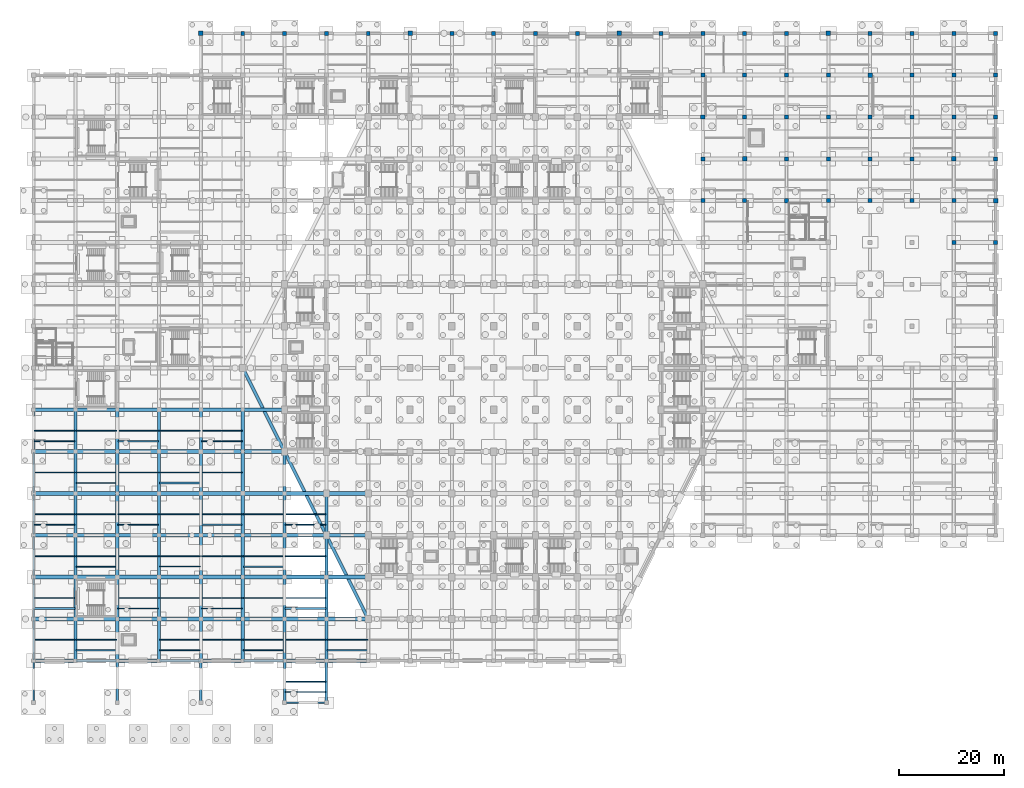
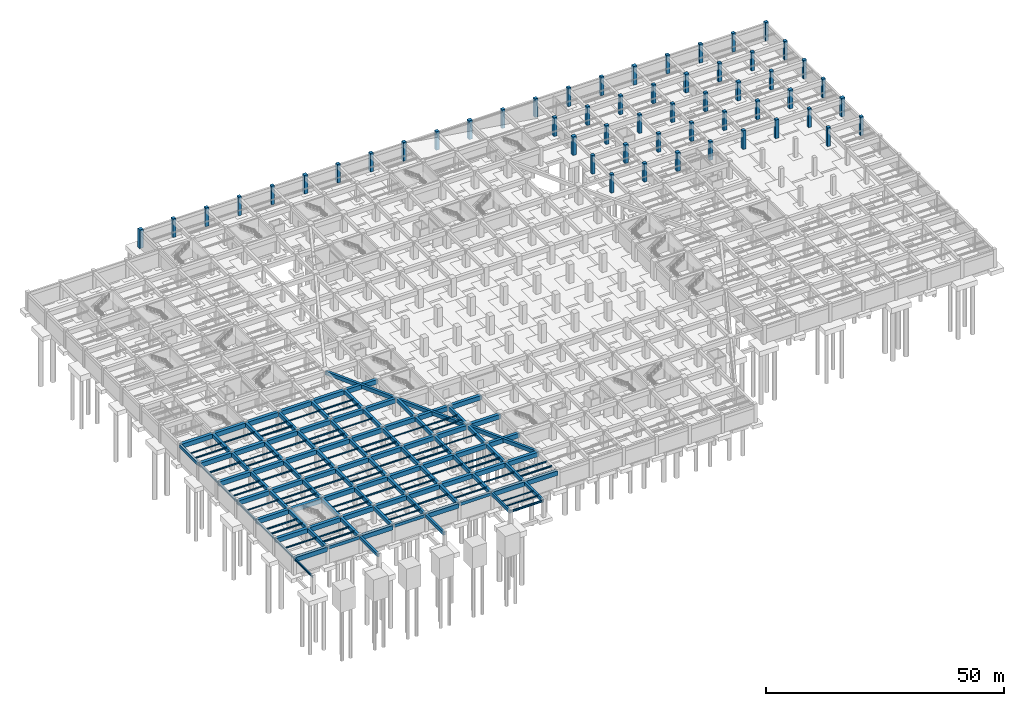
# One storey, part 17 of 36: 165 beams, 54 columns.
"""IFC4 building model written with IfcOpenShell, lengths in metres."""

from ifc_helpers import new_model, si_unit, direction, frame, origin, origin_2d, place, context, subcontext, project, spatial, rectangle, i_section, extrude, material, material_profile, profile_set, type_object, element, save


model = new_model("IFC4")

# Units and contexts
model_context = context("Model", 3, precision=1e-05, world=origin(), true_north=direction((0.0, 1.0)))
body_context = subcontext(model_context, "Body", "Model", "MODEL_VIEW")
ifc_project = project(units=[si_unit("LENGTHUNIT", "METRE"), si_unit("AREAUNIT", "SQUARE_METRE"), si_unit("VOLUMEUNIT", "CUBIC_METRE"), si_unit("PLANEANGLEUNIT", "RADIAN"), si_unit("MASSUNIT", "GRAM", prefix="KILO")], contexts=[model_context])

# Site, building, storey
site_placement = place(None, origin())
site = spatial("IfcSite", under=ifc_project, at=site_placement, CompositionType="ELEMENT")
building_placement = place(site_placement, origin())
building = spatial("IfcBuilding", under=site, at=building_placement, Name="Tazarka Park Arena", CompositionType="ELEMENT")
storey_placement = place(building_placement, frame((0.0, 0.0, -4.800048828125)))
storey = spatial("IfcBuildingStorey", under=building, at=storey_placement, Name="B1", CompositionType="ELEMENT", Elevation=-4.800048828125)

# Columns
ifc_material_1 = material(Name="Concrete C40/50", Category="concrete")
ifc_material_profile_1 = material_profile(ifc_material_1, rectangle(XDim=0.75, YDim=0.75, at=origin_2d()), Name="Concrete C40/50")
ifc_profile_set_1 = profile_set([ifc_material_profile_1], Name="Concrete C40/50")
column_type_1 = type_object("IfcColumnType", Name="COL-C-02", PredefinedType="COLUMN", material=ifc_profile_set_1)
for number, where, z_axis, x_axis, name in (
    (1, (40.0, 128.0, 0.0), (0.0, 0.0, 1.0), (1.0, 0.0, 0.0), "CLM-B1-05-16"),
    (2, (48.0, 128.0, 0.0), (0.0, 0.0, 1.0), (1.0, 0.0, 0.0), "CLM-B1-06-16"),
    (3, (56.0, 128.0, 0.0), (0.0, 0.0, 1.0), (1.0, 0.0, 0.0), "CLM-B1-07-16"),
    (4, (64.0, 128.0, 0.0), (0.0, 0.0, 1.0), (1.0, 0.0, 0.0), "CLM-B1-08-16"),
    (5, (80.0, 128.0, 0.0), (0.0, 0.0, 1.0), (1.0, 0.0, 0.0), "CLM-B1-10-16"),
    (6, (88.0, 128.0, 0.0), (0.0, 0.0, 1.0), (1.0, 0.0, 0.0), "CLM-B1-11-16"),
    (7, (96.0, 128.0, 0.0), (0.0, 0.0, 1.0), (1.0, 0.0, 0.0), "CLM-B1-12-16"),
    (8, (104.0, 128.0, 0.0), (0.0, 0.0, 1.0), (1.0, 0.0, 0.0), "CLM-B1-13-16"),
    (9, (120.0, 128.0, 0.0), (0.0, 0.0, 1.0), (1.0, 0.0, 0.0), "CLM-B1-15-16"),
    (10, (128.0, 96.0, 0.0), (0.0, 0.0, 1.0), (1.0, 0.0, 0.0), "CLM-B1-16-12"),
    (11, (128.0, 104.0, 0.0), (0.0, 0.0, 1.0), (1.0, 0.0, 0.0), "CLM-B1-16-13"),
    (12, (128.0, 120.0, 0.0), (0.0, 0.0, 1.0), (1.0, 0.0, 0.0), "CLM-B1-16-15"),
    (13, (128.0, 128.0, 0.0), (0.0, 0.0, 1.0), (1.0, 0.0, 0.0), "CLM-B1-16-16"),
    (14, (136.0, 96.0, 0.0), (0.0, 0.0, 1.0), (1.0, 0.0, 0.0), "CLM-B1-17-12"),
    (15, (136.0, 112.0, 0.0), (0.0, 0.0, 1.0), (1.0, 0.0, 0.0), "CLM-B1-17-14"),
    (16, (136.0, 120.0, 0.0), (0.0, 0.0, 1.0), (1.0, 0.0, 0.0), "CLM-B1-17-15"),
    (17, (136.0, 128.0, 0.0), (0.0, 0.0, 1.0), (1.0, 0.0, 0.0), "CLM-B1-17-16"),
    (18, (144.0, 104.0, 0.0), (0.0, 0.0, 1.0), (1.0, 0.0, 0.0), "CLM-B1-18-13"),
    (19, (144.0, 112.0, 0.0), (0.0, 0.0, 1.0), (1.0, 0.0, 0.0), "CLM-B1-18-14"),
    (20, (144.0, 120.0, 0.0), (0.0, 0.0, 1.0), (1.0, 0.0, 0.0), "CLM-B1-18-15"),
    (21, (144.0, 128.0, 0.0), (0.0, 0.0, 1.0), (1.0, 0.0, 0.0), "CLM-B1-18-16"),
    (22, (152.0, 96.0, 0.0), (0.0, 0.0, 1.0), (1.0, 0.0, 0.0), "CLM-B1-19-12"),
    (23, (152.0, 104.0, 0.0), (0.0, 0.0, 1.0), (1.0, 0.0, 0.0), "CLM-B1-19-13"),
    (24, (152.0, 112.0, 0.0), (0.0, 0.0, 1.0), (1.0, 0.0, 0.0), "CLM-B1-19-14"),
    (25, (152.0, 120.0, 0.0), (0.0, 0.0, 1.0), (1.0, 0.0, 0.0), "CLM-B1-19-15"),
    (26, (160.0, 96.0, 0.0), (0.0, 0.0, 1.0), (1.0, 0.0, 0.0), "CLM-B1-20-12"),
    (27, (160.0, 104.0, 0.0), (0.0, 0.0, 1.0), (1.0, 0.0, 0.0), "CLM-B1-20-13"),
    (28, (160.0, 112.0, 0.0), (0.0, 0.0, 1.0), (1.0, 0.0, 0.0), "CLM-B1-20-14"),
    (29, (160.0, 128.0, 0.0), (0.0, 0.0, 1.0), (1.0, 0.0, 0.0), "CLM-B1-20-16"),
    (30, (168.0, 96.0, 0.0), (0.0, 0.0, 1.0), (1.0, 0.0, 0.0), "CLM-B1-21-12"),
    (31, (168.0, 104.0, 0.0), (0.0, 0.0, 1.0), (1.0, 0.0, 0.0), "CLM-B1-21-13"),
    (32, (168.0, 120.0, 0.0), (0.0, 0.0, 1.0), (1.0, 0.0, 0.0), "CLM-B1-21-15"),
    (33, (168.0, 128.0, 0.0), (0.0, 0.0, 1.0), (1.0, 0.0, 0.0), "CLM-B1-21-16"),
    (34, (176.0, 88.0, 0.0), (0.0, 0.0, 1.0), (1.0, 0.0, 0.0), "CLM-B1-22-11"),
    (35, (176.0, 96.0, 0.0), (0.0, 0.0, 1.0), (1.0, 0.0, 0.0), "CLM-B1-22-12"),
    (36, (176.0, 112.0, 0.0), (0.0, 0.0, 1.0), (1.0, 0.0, 0.0), "CLM-B1-22-14"),
    (37, (176.0, 120.0, 0.0), (0.0, 0.0, 1.0), (1.0, 0.0, 0.0), "CLM-B1-22-15"),
    (38, (176.0, 128.0, 0.0), (0.0, 0.0, 1.0), (1.0, 0.0, 0.0), "CLM-B1-22-16"),
    (39, (184.0, 88.0, 0.0), (0.0, 0.0, 1.0), (1.0, 0.0, 0.0), "CLM-B1-23-11"),
    (40, (184.0, 104.0, 0.0), (0.0, 0.0, 1.0), (1.0, 0.0, 0.0), "CLM-B1-23-13"),
    (41, (184.0, 112.0, 0.0), (0.0, 0.0, 1.0), (1.0, 0.0, 0.0), "CLM-B1-23-14"),
    (42, (184.0, 120.0, 0.0), (0.0, 0.0, 1.0), (1.0, 0.0, 0.0), "CLM-B1-23-15"),
    (43, (184.0, 128.0, 0.0), (0.0, 0.0, 1.0), (1.0, 0.0, 0.0), "CLM-B1-23-16"),
):
    element("IfcColumn", number, at=place(storey_placement, frame(where, z_axis=z_axis, x_axis=x_axis)), inside=storey, type_object=column_type_1, Name=name, PredefinedType="COLUMN", context=body_context, shape_type="SweptSolid", body=[
        extrude(rectangle(XDim=0.75, YDim=0.75, at=origin_2d()), origin(), (0.0, 0.0, 1.0), 4.800048828125),
    ])
ifc_material_2 = material(Name="Concrete C40/50", Category="concrete")
ifc_material_profile_2 = material_profile(ifc_material_2, rectangle(XDim=0.85009765625, YDim=0.85009765625, at=origin_2d()), Name="Concrete C40/50")
ifc_profile_set_2 = profile_set([ifc_material_profile_2], Name="Concrete C40/50")
column_type_2 = type_object("IfcColumnType", Name="COL-C-10", PredefinedType="COLUMN", material=ifc_profile_set_2)
for number, where, z_axis, x_axis, name in (
    (44, (32.0, 128.0, 0.0), (0.0, 0.0, 1.0), (1.0, 0.0, 0.0), "CLM-B1-04-16"),
    (45, (72.0, 128.0, 0.0), (0.0, 0.0, 1.0), (1.0, 0.0, 0.0), "CLM-B1-09-16"),
    (46, (112.0, 128.0, 0.0), (0.0, 0.0, 1.0), (1.0, 0.0, 0.0), "CLM-B1-14-16"),
    (47, (128.0, 112.0, 0.0), (0.0, 0.0, 1.0), (1.0, 0.0, 0.0), "CLM-B1-16-14"),
    (48, (136.0, 104.0, 0.0), (0.0, 0.0, 1.0), (1.0, 0.0, 0.0), "CLM-B1-17-13"),
    (49, (144.0, 96.0, 0.0), (0.0, 0.0, 1.0), (1.0, 0.0, 0.0), "CLM-B1-18-12"),
    (50, (152.0, 128.0, 0.0), (0.0, 0.0, 1.0), (1.0, 0.0, 0.0), "CLM-B1-19-16"),
    (51, (160.0, 120.0, 0.0), (0.0, 0.0, 1.0), (1.0, 0.0, 0.0), "CLM-B1-20-15"),
    (52, (168.0, 112.0, 0.0), (0.0, 0.0, 1.0), (1.0, 0.0, 0.0), "CLM-B1-21-14"),
    (53, (176.0, 104.0, 0.0), (0.0, 0.0, 1.0), (1.0, 0.0, 0.0), "CLM-B1-22-13"),
    (54, (184.0, 96.0, 0.0), (0.0, 0.0, 1.0), (1.0, 0.0, 0.0), "CLM-B1-23-12"),
):
    element("IfcColumn", number, at=place(storey_placement, frame(where, z_axis=z_axis, x_axis=x_axis)), inside=storey, type_object=column_type_2, Name=name, PredefinedType="COLUMN", context=body_context, shape_type="SweptSolid", body=[
        extrude(rectangle(XDim=0.85009765625, YDim=0.85009765625, at=origin_2d()), origin(), (0.0, 0.0, 1.0), 4.800048828125),
    ])

# Beams
ifc_material_3 = material(Name="Concrete C40/50", Category="concrete")
ifc_material_profile_3 = material_profile(ifc_material_3, rectangle(XDim=0.60009765625, YDim=0.949951171875, at=origin_2d()), Name="Concrete C40/50")
ifc_profile_set_3 = profile_set([ifc_material_profile_3], Name="Concrete C40/50")
beam_type_1 = type_object("IfcBeamType", Name="BM-B-03", PredefinedType="BEAM", material=ifc_profile_set_3)
for number, where, z_axis, x_axis, name in (
    (55, (8.0, 8.1201171875, 3.945068359375), (0.0, 1.0, 0.0), (-1.0, 0.0, 0.0), "GYM-B1-01-01"),
    (56, (8.0, 16.1201171875, 3.945068359375), (0.0, 1.0, 0.0), (-1.0, 0.0, 0.0), "GYM-B1-01-02"),
    (57, (8.0, 24.1201171875, 3.945068359375), (0.0, 1.0, 0.0), (-1.0, 0.0, 0.0), "GYM-B1-01-03"),
    (58, (8.0, 32.1201171875, 3.945068359375), (0.0, 1.0, 0.0), (-1.0, 0.0, 0.0), "GYM-B1-01-04"),
    (59, (8.0, 40.1201171875, 3.945068359375), (0.0, 1.0, 0.0), (-1.0, 0.0, 0.0), "GYM-B1-01-05"),
    (60, (8.0, 48.1201171875, 3.945068359375), (0.0, 1.0, 0.0), (-1.0, 0.0, 0.0), "GYM-B1-01-06"),
    (61, (16.0, 8.1201171875, 3.945068359375), (0.0, 1.0, 0.0), (-1.0, 0.0, 0.0), "GYM-B1-02-01"),
    (62, (16.0, 16.1201171875, 3.945068359375), (0.0, 1.0, 0.0), (-1.0, 0.0, 0.0), "GYM-B1-02-02"),
    (63, (16.0, 24.1201171875, 3.945068359375), (0.0, 1.0, 0.0), (-1.0, 0.0, 0.0), "GYM-B1-02-03"),
    (64, (16.0, 32.1201171875, 3.945068359375), (0.0, 1.0, 0.0), (-1.0, 0.0, 0.0), "GYM-B1-02-04"),
    (65, (16.0, 40.1201171875, 3.945068359375), (0.0, 1.0, 0.0), (-1.0, 0.0, 0.0), "GYM-B1-02-05"),
    (66, (16.0, 48.1201171875, 3.945068359375), (0.0, 1.0, 0.0), (-1.0, 0.0, 0.0), "GYM-B1-02-06"),
    (67, (24.0, 8.1201171875, 3.945068359375), (0.0, 1.0, 0.0), (-1.0, 0.0, 0.0), "GYM-B1-03-01"),
    (68, (24.0, 16.1201171875, 3.945068359375), (0.0, 1.0, 0.0), (-1.0, 0.0, 0.0), "GYM-B1-03-02"),
    (69, (24.0, 24.1201171875, 3.945068359375), (0.0, 1.0, 0.0), (-1.0, 0.0, 0.0), "GYM-B1-03-03"),
    (70, (24.0, 32.1201171875, 3.945068359375), (0.0, 1.0, 0.0), (-1.0, 0.0, 0.0), "GYM-B1-03-04"),
    (71, (24.0, 40.1201171875, 3.945068359375), (0.0, 1.0, 0.0), (-1.0, 0.0, 0.0), "GYM-B1-03-05"),
    (72, (24.0, 48.1201171875, 3.945068359375), (0.0, 1.0, 0.0), (-1.0, 0.0, 0.0), "GYM-B1-03-06"),
    (73, (32.0, 8.1201171875, 3.945068359375), (0.0, 1.0, 0.0), (-1.0, 0.0, 0.0), "GYM-B1-04-01"),
    (74, (32.0, 16.1201171875, 3.945068359375), (0.0, 1.0, 0.0), (-1.0, 0.0, 0.0), "GYM-B1-04-02"),
    (75, (32.0, 24.1201171875, 3.945068359375), (0.0, 1.0, 0.0), (-1.0, 0.0, 0.0), "GYM-B1-04-03"),
    (76, (32.0, 32.1201171875, 3.945068359375), (0.0, 1.0, 0.0), (-1.0, 0.0, 0.0), "GYM-B1-04-04"),
    (77, (32.0, 40.1201171875, 3.945068359375), (0.0, 1.0, 0.0), (-1.0, 0.0, 0.0), "GYM-B1-04-05"),
    (78, (32.0, 48.1201171875, 3.945068359375), (0.0, 1.0, 0.0), (-1.0, 0.0, 0.0), "GYM-B1-04-06"),
    (79, (40.0, 8.1201171875, 3.945068359375), (0.0, 1.0, 0.0), (-1.0, 0.0, 0.0), "GYM-B1-05-01"),
    (80, (40.0, 16.1201171875, 3.945068359375), (0.0, 1.0, 0.0), (-1.0, 0.0, 0.0), "GYM-B1-05-02"),
    (81, (40.0, 24.1201171875, 3.945068359375), (0.0, 1.0, 0.0), (-1.0, 0.0, 0.0), "GYM-B1-05-03"),
    (82, (40.0, 32.1201171875, 3.945068359375), (0.0, 1.0, 0.0), (-1.0, 0.0, 0.0), "GYM-B1-05-04"),
    (83, (40.0, 40.1201171875, 3.945068359375), (0.0, 1.0, 0.0), (-1.0, 0.0, 0.0), "GYM-B1-05-05"),
    (84, (40.0, 48.1201171875, 3.945068359375), (0.0, 1.0, 0.0), (-1.0, 0.0, 0.0), "GYM-B1-05-06"),
    (85, (48.0, 8.1201171875, 3.945068359375), (0.0, 1.0, 0.0), (-1.0, 0.0, 0.0), "GYM-B1-06-01"),
    (86, (48.0, 16.1201171875, 3.945068359375), (0.0, 1.0, 0.0), (-1.0, 0.0, 0.0), "GYM-B1-06-02"),
    (87, (48.0, 24.1201171875, 3.945068359375), (0.0, 1.0, 0.0), (-1.0, 0.0, 0.0), "GYM-B1-06-03"),
    (88, (48.0, 32.1201171875, 3.945068359375), (0.0, 1.0, 0.0), (-1.0, 0.0, 0.0), "GYM-B1-06-04"),
    (89, (48.0, 40.1201171875, 3.945068359375), (0.0, 1.0, 0.0), (-1.0, 0.0, 0.0), "GYM-B1-06-05"),
    (90, (56.0, 8.1201171875, 3.945068359375), (0.0, 1.0, 0.0), (-1.0, 0.0, 0.0), "GYM-B1-07-01"),
    (91, (56.0, 16.1201171875, 3.945068359375), (0.0, 1.0, 0.0), (-1.0, 0.0, 0.0), "GYM-B1-07-02"),
    (92, (56.0, 24.1201171875, 3.945068359375), (0.0, 1.0, 0.0), (-1.0, 0.0, 0.0), "GYM-B1-07-03"),
    (93, (56.0, 32.1201171875, 3.945068359375), (0.0, 1.0, 0.0), (-1.0, 0.0, 0.0), "GYM-B1-07-04"),
):
    element("IfcBeam", number, at=place(storey_placement, frame(where, z_axis=z_axis, x_axis=x_axis)), inside=storey, type_object=beam_type_1, Name=name, PredefinedType="BEAM", context=body_context, shape_type="SweptSolid", body=[
        extrude(rectangle(XDim=0.60009765625, YDim=0.949951171875, at=origin_2d()), origin(), (0.0, 0.0, 1.0), 7.759765625),
    ])
ifc_material_4 = material(Name="Concrete C40/50", Category="concrete")
ifc_material_profile_4 = material_profile(ifc_material_4, rectangle(XDim=0.75, YDim=1.14990234375, at=origin_2d()), Name="Concrete C40/50")
ifc_profile_set_4 = profile_set([ifc_material_profile_4], Name="Concrete C40/50")
beam_type_2 = type_object("IfcBeamType", Name="BM-B-04", PredefinedType="BEAM", material=ifc_profile_set_4)
for number, where, z_axis, x_axis, name in (
    (94, (0.1201171875, 8.0, 3.844970703125), (1.0, 0.0, 0.0), (0.0, 1.0, 0.0), "GXM-B1-00-01"),
    (95, (0.1201171875, 16.0, 3.844970703125), (1.0, 0.0, 0.0), (0.0, 1.0, 0.0), "GXM-B1-00-02"),
    (96, (0.1201171875, 24.0, 3.844970703125), (1.0, 0.0, 0.0), (0.0, 1.0, 0.0), "GXM-B1-00-03"),
    (97, (0.1201171875, 32.0, 3.844970703125), (1.0, 0.0, 0.0), (0.0, 1.0, 0.0), "GXM-B1-00-04"),
    (98, (0.1201171875, 40.0, 3.844970703125), (1.0, 0.0, 0.0), (0.0, 1.0, 0.0), "GXM-B1-00-05"),
    (99, (0.1201171875, 48.0, 3.844970703125), (1.0, 0.0, 0.0), (0.0, 1.0, 0.0), "GXM-B1-00-06"),
    (100, (0.1201171875, 56.0, 3.844970703125), (1.0, 0.0, 0.0), (0.0, 1.0, 0.0), "GXM-B1-00-07"),
    (101, (8.1201171875, 16.0, 3.844970703125), (1.0, 0.0, 0.0), (0.0, 1.0, 0.0), "GXM-B1-01-02"),
    (102, (8.1201171875, 24.0, 3.844970703125), (1.0, 0.0, 0.0), (0.0, 1.0, 0.0), "GXM-B1-01-03"),
    (103, (8.1201171875, 32.0, 3.844970703125), (1.0, 0.0, 0.0), (0.0, 1.0, 0.0), "GXM-B1-01-04"),
    (104, (8.1201171875, 40.0, 3.844970703125), (1.0, 0.0, 0.0), (0.0, 1.0, 0.0), "GXM-B1-01-05"),
    (105, (8.1201171875, 48.0, 3.844970703125), (1.0, 0.0, 0.0), (0.0, 1.0, 0.0), "GXM-B1-01-06"),
    (106, (8.1201171875, 56.0, 3.844970703125), (1.0, 0.0, 0.0), (0.0, 1.0, 0.0), "GXM-B1-01-07"),
    (107, (16.1201171875, 8.0, 3.844970703125), (1.0, 0.0, 0.0), (0.0, 1.0, 0.0), "GXM-B1-02-01"),
    (108, (16.1201171875, 16.0, 3.844970703125), (1.0, 0.0, 0.0), (0.0, 1.0, 0.0), "GXM-B1-02-02"),
    (109, (16.1201171875, 24.0, 3.844970703125), (1.0, 0.0, 0.0), (0.0, 1.0, 0.0), "GXM-B1-02-03"),
    (110, (16.1201171875, 32.0, 3.844970703125), (1.0, 0.0, 0.0), (0.0, 1.0, 0.0), "GXM-B1-02-04"),
    (111, (16.1201171875, 40.0, 3.844970703125), (1.0, 0.0, 0.0), (0.0, 1.0, 0.0), "GXM-B1-02-05"),
    (112, (16.1201171875, 48.0, 3.844970703125), (1.0, 0.0, 0.0), (0.0, 1.0, 0.0), "GXM-B1-02-06"),
    (113, (16.1201171875, 56.0, 3.844970703125), (1.0, 0.0, 0.0), (0.0, 1.0, 0.0), "GXM-B1-02-07"),
    (114, (24.1201171875, 16.0, 3.844970703125), (1.0, 0.0, 0.0), (0.0, 1.0, 0.0), "GXM-B1-03-02"),
    (115, (24.1201171875, 24.0, 3.844970703125), (1.0, 0.0, 0.0), (0.0, 1.0, 0.0), "GXM-B1-03-03"),
    (116, (24.1201171875, 32.0, 3.844970703125), (1.0, 0.0, 0.0), (0.0, 1.0, 0.0), "GXM-B1-03-04"),
    (117, (24.1201171875, 40.0, 3.844970703125), (1.0, 0.0, 0.0), (0.0, 1.0, 0.0), "GXM-B1-03-05"),
    (118, (24.1201171875, 48.0, 3.844970703125), (1.0, 0.0, 0.0), (0.0, 1.0, 0.0), "GXM-B1-03-06"),
    (119, (24.1201171875, 56.0, 3.844970703125), (1.0, 0.0, 0.0), (0.0, 1.0, 0.0), "GXM-B1-03-07"),
    (120, (32.1201171875, 8.0, 3.844970703125), (1.0, 0.0, 0.0), (0.0, 1.0, 0.0), "GXM-B1-04-01"),
    (121, (32.1201171875, 16.0, 3.844970703125), (1.0, 0.0, 0.0), (0.0, 1.0, 0.0), "GXM-B1-04-02"),
    (122, (32.1201171875, 24.0, 3.844970703125), (1.0, 0.0, 0.0), (0.0, 1.0, 0.0), "GXM-B1-04-03"),
    (123, (32.1201171875, 32.0, 3.844970703125), (1.0, 0.0, 0.0), (0.0, 1.0, 0.0), "GXM-B1-04-04"),
    (124, (32.1201171875, 40.0, 3.844970703125), (1.0, 0.0, 0.0), (0.0, 1.0, 0.0), "GXM-B1-04-05"),
    (125, (32.1201171875, 48.0, 3.844970703125), (1.0, 0.0, 0.0), (0.0, 1.0, 0.0), "GXM-B1-04-06"),
    (126, (32.1201171875, 56.0, 3.844970703125), (1.0, 0.0, 0.0), (0.0, 1.0, 0.0), "GXM-B1-04-07"),
    (127, (40.1201171875, 16.0, 3.844970703125), (1.0, 0.0, 0.0), (0.0, 1.0, 0.0), "GXM-B1-05-02"),
    (128, (40.1201171875, 24.0, 3.844970703125), (1.0, 0.0, 0.0), (0.0, 1.0, 0.0), "GXM-B1-05-03"),
    (129, (40.1201171875, 32.0, 3.844970703125), (1.0, 0.0, 0.0), (0.0, 1.0, 0.0), "GXM-B1-05-04"),
    (130, (40.1201171875, 40.0, 3.844970703125), (1.0, 0.0, 0.0), (0.0, 1.0, 0.0), "GXM-B1-05-05"),
    (131, (40.1201171875, 48.0, 3.844970703125), (1.0, 0.0, 0.0), (0.0, 1.0, 0.0), "GXM-B1-05-06"),
    (132, (40.1201171875, 56.0, 3.844970703125), (1.0, 0.0, 0.0), (0.0, 1.0, 0.0), "GXM-B1-05-07"),
    (133, (48.1201171875, 8.0, 3.844970703125), (1.0, 0.0, 0.0), (0.0, 1.0, 0.0), "GXM-B1-06-01"),
    (134, (48.1201171875, 16.0, 3.844970703125), (1.0, 0.0, 0.0), (0.0, 1.0, 0.0), "GXM-B1-06-02"),
    (135, (48.1201171875, 24.0, 3.844970703125), (1.0, 0.0, 0.0), (0.0, 1.0, 0.0), "GXM-B1-06-03"),
    (136, (48.1201171875, 32.0, 3.844970703125), (1.0, 0.0, 0.0), (0.0, 1.0, 0.0), "GXM-B1-06-04"),
    (137, (48.1201171875, 40.0, 3.844970703125), (1.0, 0.0, 0.0), (0.0, 1.0, 0.0), "GXM-B1-06-05"),
    (138, (56.1201171875, 8.0, 3.844970703125), (1.0, 0.0, 0.0), (0.0, 1.0, 0.0), "GXM-B1-07-01"),
    (139, (56.1201171875, 16.0, 3.844970703125), (1.0, 0.0, 0.0), (0.0, 1.0, 0.0), "GXM-B1-07-02"),
    (140, (56.1201171875, 24.0, 3.844970703125), (1.0, 0.0, 0.0), (0.0, 1.0, 0.0), "GXM-B1-07-03"),
    (141, (56.1201171875, 32.0, 3.844970703125), (1.0, 0.0, 0.0), (0.0, 1.0, 0.0), "GXM-B1-07-04"),
    (142, (56.1201171875, 40.0, 3.844970703125), (1.0, 0.0, 0.0), (0.0, 1.0, 0.0), "GXM-B1-07-05"),
):
    element("IfcBeam", number, at=place(storey_placement, frame(where, z_axis=z_axis, x_axis=x_axis)), inside=storey, type_object=beam_type_2, Name=name, PredefinedType="BEAM", context=body_context, shape_type="SweptSolid", body=[
        extrude(rectangle(XDim=0.75, YDim=1.14990234375, at=origin_2d()), origin(), (0.0, 0.0, 1.0), 7.759765625),
    ])
ifc_material_5 = material(Name="Steel S355", Category="steel")
ifc_material_profile_5 = material_profile(ifc_material_5, i_section(OverallWidth=0.14990234375, OverallDepth=0.300048828125, WebThickness=0.007080078125, FlangeThickness=0.0107421875, FilletRadius=0.014892578125, at=origin_2d()), Name="Steel S355")
ifc_profile_set_5 = profile_set([ifc_material_profile_5], Name="Steel S355")
beam_type_3 = type_object("IfcBeamType", Name="BM-J-01", PredefinedType="JOIST", material=ifc_profile_set_5)
for number, where, z_axis, x_axis, name in (
    (143, (0.1201171875, 28.0, 4.27001953125), (1.0, 0.0, 0.0), (0.0, 1.0, 0.0), "JST-B1-00-03"),
    (144, (0.1201171875, 52.0, 4.27001953125), (1.0, 0.0, 0.0), (0.0, 1.0, 0.0), "JST-B1-00-06"),
    (145, (8.1201171875, 44.0, 4.27001953125), (1.0, 0.0, 0.0), (0.0, 1.0, 0.0), "JST-B1-01-05"),
    (146, (16.1201171875, 36.0, 4.27001953125), (1.0, 0.0, 0.0), (0.0, 1.0, 0.0), "JST-B1-02-04"),
    (147, (24.1201171875, 28.0, 4.27001953125), (1.0, 0.0, 0.0), (0.0, 1.0, 0.0), "JST-B1-03-03"),
    (148, (24.1201171875, 52.0, 4.27001953125), (1.0, 0.0, 0.0), (0.0, 1.0, 0.0), "JST-B1-03-06"),
    (149, (32.1201171875, 20.0, 4.27001953125), (1.0, 0.0, 0.0), (0.0, 1.0, 0.0), "JST-B1-04-02"),
    (150, (32.1201171875, 44.0, 4.27001953125), (1.0, 0.0, 0.0), (0.0, 1.0, 0.0), "JST-B1-04-05"),
    (151, (40.1201171875, 12.0, 4.27001953125), (1.0, 0.0, 0.0), (0.0, 1.0, 0.0), "JST-B1-05-01"),
    (152, (40.1201171875, 36.0, 4.27001953125), (1.0, 0.0, 0.0), (0.0, 1.0, 0.0), "JST-B1-05-04"),
    (153, (48.1201171875, 4.0, 4.27001953125), (1.0, 0.0, 0.0), (0.0, 1.0, 0.0), "JST-B1-06-00"),
    (154, (48.1201171875, 28.0, 4.27001953125), (1.0, 0.0, 0.0), (0.0, 1.0, 0.0), "JST-B1-06-03"),
):
    element("IfcBeam", number, at=place(storey_placement, frame(where, z_axis=z_axis, x_axis=x_axis)), inside=storey, type_object=beam_type_3, Name=name, PredefinedType="JOIST", context=body_context, shape_type="SweptSolid", body=[
        extrude(i_section(OverallWidth=0.14990234375, OverallDepth=0.300048828125, WebThickness=0.007080078125, FlangeThickness=0.0107421875, FilletRadius=0.014892578125, at=origin_2d()), origin(), (0.0, 0.0, 1.0), 7.759765625),
    ])
ifc_material_6 = material(Name="Steel S355", Category="steel")
ifc_material_profile_6 = material_profile(ifc_material_6, i_section(OverallWidth=0.169921875, OverallDepth=0.360107421875, WebThickness=0.008056640625, FlangeThickness=0.0126953125, FilletRadius=0.01806640625, at=origin_2d()), Name="Steel S355")
ifc_profile_set_6 = profile_set([ifc_material_profile_6], Name="Steel S355")
beam_type_4 = type_object("IfcBeamType", Name="BM-J-02", PredefinedType="JOIST", material=ifc_profile_set_6)
for number, where, z_axis, x_axis, name in (
    (155, (0.1201171875, 12.0, 4.239990234375), (1.0, 0.0, 0.0), (0.0, 1.0, 0.0), "JST-B1-00-01"),
    (156, (0.1201171875, 36.0, 4.239990234375), (1.0, 0.0, 0.0), (0.0, 1.0, 0.0), "JST-B1-00-04"),
    (157, (8.1201171875, 28.0, 4.239990234375), (1.0, 0.0, 0.0), (0.0, 1.0, 0.0), "JST-B1-01-03"),
    (158, (8.1201171875, 52.0, 4.239990234375), (1.0, 0.0, 0.0), (0.0, 1.0, 0.0), "JST-B1-01-06"),
    (159, (16.1201171875, 20.0, 4.239990234375), (1.0, 0.0, 0.0), (0.0, 1.0, 0.0), "JST-B1-02-02"),
    (160, (16.1201171875, 44.0, 4.239990234375), (1.0, 0.0, 0.0), (0.0, 1.0, 0.0), "JST-B1-02-05"),
    (161, (24.1201171875, 12.0, 4.239990234375), (1.0, 0.0, 0.0), (0.0, 1.0, 0.0), "JST-B1-03-01"),
    (162, (24.1201171875, 36.0, 4.239990234375), (1.0, 0.0, 0.0), (0.0, 1.0, 0.0), "JST-B1-03-04"),
    (163, (32.1201171875, 28.0, 4.239990234375), (1.0, 0.0, 0.0), (0.0, 1.0, 0.0), "JST-B1-04-03"),
    (164, (32.1201171875, 52.0, 4.239990234375), (1.0, 0.0, 0.0), (0.0, 1.0, 0.0), "JST-B1-04-06"),
    (165, (40.1201171875, 20.0, 4.239990234375), (1.0, 0.0, 0.0), (0.0, 1.0, 0.0), "JST-B1-05-02"),
    (166, (48.1201171875, 12.0, 4.239990234375), (1.0, 0.0, 0.0), (0.0, 1.0, 0.0), "JST-B1-06-01"),
    (167, (48.1201171875, 36.0, 4.239990234375), (1.0, 0.0, 0.0), (0.0, 1.0, 0.0), "JST-B1-06-04"),
):
    element("IfcBeam", number, at=place(storey_placement, frame(where, z_axis=z_axis, x_axis=x_axis)), inside=storey, type_object=beam_type_4, Name=name, PredefinedType="JOIST", context=body_context, shape_type="SweptSolid", body=[
        extrude(i_section(OverallWidth=0.169921875, OverallDepth=0.360107421875, WebThickness=0.008056640625, FlangeThickness=0.0126953125, FilletRadius=0.01806640625, at=origin_2d()), origin(), (0.0, 0.0, 1.0), 7.759765625),
    ])
ifc_material_7 = material(Name="Steel S355", Category="steel")
ifc_material_profile_7 = material_profile(ifc_material_7, i_section(OverallWidth=0.179931640625, OverallDepth=0.39990234375, WebThickness=0.008544921875, FlangeThickness=0.013427734375, FilletRadius=0.02099609375, at=origin_2d()), Name="Steel S355")
ifc_profile_set_7 = profile_set([ifc_material_profile_7], Name="Steel S355")
beam_type_5 = type_object("IfcBeamType", Name="BM-J-03", PredefinedType="JOIST", material=ifc_profile_set_7)
for number, where, z_axis, x_axis, name in (
    (168, (0.1201171875, 20.0, 4.219970703125), (1.0, 0.0, 0.0), (0.0, 1.0, 0.0), "JST-B1-00-02"),
    (169, (0.1201171875, 44.0, 4.219970703125), (1.0, 0.0, 0.0), (0.0, 1.0, 0.0), "JST-B1-00-05"),
    (170, (8.1201171875, 12.0, 4.219970703125), (1.0, 0.0, 0.0), (0.0, 1.0, 0.0), "JST-B1-01-01"),
    (171, (8.1201171875, 36.0, 4.219970703125), (1.0, 0.0, 0.0), (0.0, 1.0, 0.0), "JST-B1-01-04"),
    (172, (16.1201171875, 28.0, 4.219970703125), (1.0, 0.0, 0.0), (0.0, 1.0, 0.0), "JST-B1-02-03"),
    (173, (16.1201171875, 52.0, 4.219970703125), (1.0, 0.0, 0.0), (0.0, 1.0, 0.0), "JST-B1-02-06"),
    (174, (24.1201171875, 20.0, 4.219970703125), (1.0, 0.0, 0.0), (0.0, 1.0, 0.0), "JST-B1-03-02"),
    (175, (24.1201171875, 44.0, 4.219970703125), (1.0, 0.0, 0.0), (0.0, 1.0, 0.0), "JST-B1-03-05"),
    (176, (32.1201171875, 12.0, 4.219970703125), (1.0, 0.0, 0.0), (0.0, 1.0, 0.0), "JST-B1-04-01"),
    (177, (32.1201171875, 36.0, 4.219970703125), (1.0, 0.0, 0.0), (0.0, 1.0, 0.0), "JST-B1-04-04"),
    (178, (40.1201171875, 28.0, 4.219970703125), (1.0, 0.0, 0.0), (0.0, 1.0, 0.0), "JST-B1-05-03"),
    (179, (48.1201171875, 20.0, 4.219970703125), (1.0, 0.0, 0.0), (0.0, 1.0, 0.0), "JST-B1-06-02"),
    (180, (56.1201171875, 12.0, 4.219970703125), (1.0, 0.0, 0.0), (0.0, 1.0, 0.0), "JST-B1-07-01"),
):
    element("IfcBeam", number, at=place(storey_placement, frame(where, z_axis=z_axis, x_axis=x_axis)), inside=storey, type_object=beam_type_5, Name=name, PredefinedType="JOIST", context=body_context, shape_type="SweptSolid", body=[
        extrude(i_section(OverallWidth=0.179931640625, OverallDepth=0.39990234375, WebThickness=0.008544921875, FlangeThickness=0.013427734375, FilletRadius=0.02099609375, at=origin_2d()), origin(), (0.0, 0.0, 1.0), 7.759765625),
    ])
ifc_material_8 = material(Name="Steel S355", Category="steel")
ifc_material_profile_8 = material_profile(ifc_material_8, i_section(OverallWidth=0.135009765625, OverallDepth=0.27001953125, WebThickness=0.006591796875, FlangeThickness=0.01025390625, FilletRadius=0.014892578125, at=origin_2d()), Name="Steel S355")
ifc_profile_set_8 = profile_set([ifc_material_profile_8], Name="Steel S355")
beam_type_6 = type_object("IfcBeamType", Name="BM-J-04", PredefinedType="JOIST", material=ifc_profile_set_8)
for number, where, z_axis, x_axis, name in (
    (181, (0.1201171875, 50.0, 4.28515625), (1.0, 0.0, 0.0), (0.0, 1.0, 0.0), "JST2-B1-00-06"),
    (182, (8.1201171875, 42.0, 4.28515625), (1.0, 0.0, 0.0), (0.0, 1.0, 0.0), "JST2-B1-01-05"),
    (183, (16.1201171875, 34.0, 4.28515625), (1.0, 0.0, 0.0), (0.0, 1.0, 0.0), "JST2-B1-02-04"),
    (184, (24.1201171875, 26.0, 4.28515625), (1.0, 0.0, 0.0), (0.0, 1.0, 0.0), "JST2-B1-03-03"),
    (185, (32.1201171875, 18.0, 4.28515625), (1.0, 0.0, 0.0), (0.0, 1.0, 0.0), "JST2-B1-04-02"),
    (186, (40.1201171875, 10.0, 4.28515625), (1.0, 0.0, 0.0), (0.0, 1.0, 0.0), "JST2-B1-05-01"),
    (187, (48.1201171875, 2.0, 4.28515625), (1.0, 0.0, 0.0), (0.0, 1.0, 0.0), "JST2-B1-06-00"),
):
    element("IfcBeam", number, at=place(storey_placement, frame(where, z_axis=z_axis, x_axis=x_axis)), inside=storey, type_object=beam_type_6, Name=name, PredefinedType="JOIST", context=body_context, shape_type="SweptSolid", body=[
        extrude(i_section(OverallWidth=0.135009765625, OverallDepth=0.27001953125, WebThickness=0.006591796875, FlangeThickness=0.01025390625, FilletRadius=0.014892578125, at=origin_2d()), origin(), (0.0, 0.0, 1.0), 7.759765625),
    ])
ifc_material_9 = material(Name="Steel S355", Category="steel")
ifc_material_profile_9 = material_profile(ifc_material_9, i_section(OverallWidth=0.159912109375, OverallDepth=0.330078125, WebThickness=0.007568359375, FlangeThickness=0.011474609375, FilletRadius=0.01806640625, at=origin_2d()), Name="Steel S355")
ifc_profile_set_9 = profile_set([ifc_material_profile_9], Name="Steel S355")
beam_type_7 = type_object("IfcBeamType", Name="BM-J-05", PredefinedType="JOIST", material=ifc_profile_set_9)
for number, where, z_axis, x_axis, name in (
    (188, (0.1201171875, 34.0, 4.255126953125), (1.0, 0.0, 0.0), (0.0, 1.0, 0.0), "JST2-B1-00-04"),
    (189, (8.1201171875, 26.0, 4.255126953125), (1.0, 0.0, 0.0), (0.0, 1.0, 0.0), "JST2-B1-01-03"),
    (190, (16.1201171875, 18.0, 4.255126953125), (1.0, 0.0, 0.0), (0.0, 1.0, 0.0), "JST2-B1-02-02"),
    (191, (24.1201171875, 10.0, 4.255126953125), (1.0, 0.0, 0.0), (0.0, 1.0, 0.0), "JST2-B1-03-01"),
    (192, (32.1201171875, 50.0, 4.255126953125), (1.0, 0.0, 0.0), (0.0, 1.0, 0.0), "JST2-B1-04-06"),
    (193, (48.1201171875, 34.0, 4.255126953125), (1.0, 0.0, 0.0), (0.0, 1.0, 0.0), "JST2-B1-06-04"),
):
    element("IfcBeam", number, at=place(storey_placement, frame(where, z_axis=z_axis, x_axis=x_axis)), inside=storey, type_object=beam_type_7, Name=name, PredefinedType="JOIST", context=body_context, shape_type="SweptSolid", body=[
        extrude(i_section(OverallWidth=0.159912109375, OverallDepth=0.330078125, WebThickness=0.007568359375, FlangeThickness=0.011474609375, FilletRadius=0.01806640625, at=origin_2d()), origin(), (0.0, 0.0, 1.0), 7.759765625),
    ])
ifc_material_10 = material(Name="Steel S355", Category="steel")
ifc_material_profile_10 = material_profile(ifc_material_10, i_section(OverallWidth=0.300048828125, OverallDepth=0.330078125, WebThickness=0.009521484375, FlangeThickness=0.0166015625, FilletRadius=0.027099609375, at=origin_2d()), Name="Steel S355")
ifc_profile_set_10 = profile_set([ifc_material_profile_10], Name="Steel S355")
beam_type_8 = type_object("IfcBeamType", Name="BM-J-06", PredefinedType="JOIST", material=ifc_profile_set_10)
for number, where, z_axis, x_axis, name in (
    (194, (0.1201171875, 18.0, 4.255126953125), (1.0, 0.0, 0.0), (0.0, 1.0, 0.0), "JST2-B1-00-02"),
    (195, (8.1201171875, 10.0, 4.255126953125), (1.0, 0.0, 0.0), (0.0, 1.0, 0.0), "JST2-B1-01-01"),
    (196, (16.1201171875, 50.0, 4.255126953125), (1.0, 0.0, 0.0), (0.0, 1.0, 0.0), "JST2-B1-02-06"),
    (197, (24.1201171875, 42.0, 4.255126953125), (1.0, 0.0, 0.0), (0.0, 1.0, 0.0), "JST2-B1-03-05"),
    (198, (32.1201171875, 34.0, 4.255126953125), (1.0, 0.0, 0.0), (0.0, 1.0, 0.0), "JST2-B1-04-04"),
    (199, (40.1201171875, 26.0, 4.255126953125), (1.0, 0.0, 0.0), (0.0, 1.0, 0.0), "JST2-B1-05-03"),
    (200, (48.1201171875, 18.0, 4.255126953125), (1.0, 0.0, 0.0), (0.0, 1.0, 0.0), "JST2-B1-06-02"),
    (201, (56.1201171875, 10.0, 4.255126953125), (1.0, 0.0, 0.0), (0.0, 1.0, 0.0), "JST2-B1-07-01"),
):
    element("IfcBeam", number, at=place(storey_placement, frame(where, z_axis=z_axis, x_axis=x_axis)), inside=storey, type_object=beam_type_8, Name=name, PredefinedType="JOIST", context=body_context, shape_type="SweptSolid", body=[
        extrude(i_section(OverallWidth=0.300048828125, OverallDepth=0.330078125, WebThickness=0.009521484375, FlangeThickness=0.0166015625, FilletRadius=0.027099609375, at=origin_2d()), origin(), (0.0, 0.0, 1.0), 7.759765625),
    ])
ifc_material_11 = material(Name="Concrete C40/50", Category="concrete")
ifc_material_profile_11 = material_profile(ifc_material_11, rectangle(XDim=0.5, YDim=0.800048828125, at=origin_2d()), Name="Concrete C40/50")
ifc_profile_set_11 = profile_set([ifc_material_profile_11], Name="Concrete C40/50")
beam_type_9 = type_object("IfcBeamType", Name="BM-SP-01", PredefinedType="SPANDREL", material=ifc_profile_set_11)
for number, where, z_axis, x_axis, name in (
    (202, (0.0, 48.1201171875, 4.02001953125), (0.0, 1.0, 0.0), (-1.0, 0.0, 0.0), "GYM-B1-00-06"),
    (203, (8.1201171875, 8.0, 4.02001953125), (1.0, 0.0, 0.0), (0.0, 1.0, 0.0), "GXM-B1-01-01"),
    (204, (16.0, 0.1201171875, 4.02001953125), (0.0, 1.0, 0.0), (-1.0, 0.0, 0.0), "GYM-B1-02-00"),
    (205, (24.1201171875, 8.0, 4.02001953125), (1.0, 0.0, 0.0), (0.0, 1.0, 0.0), "GXM-B1-03-01"),
    (206, (32.0, 0.1201171875, 4.02001953125), (0.0, 1.0, 0.0), (-1.0, 0.0, 0.0), "GYM-B1-04-00"),
    (207, (40.1201171875, 8.0, 4.02001953125), (1.0, 0.0, 0.0), (0.0, 1.0, 0.0), "GXM-B1-05-01"),
    (208, (48.0, 0.1201171875, 4.02001953125), (0.0, 1.0, 0.0), (-1.0, 0.0, 0.0), "GYM-B1-06-00"),
    (209, (56.0, 0.1201171875, 4.02001953125), (0.0, 1.0, 0.0), (-1.0, 0.0, 0.0), "GYM-B1-07-00"),
):
    element("IfcBeam", number, at=place(storey_placement, frame(where, z_axis=z_axis, x_axis=x_axis)), inside=storey, type_object=beam_type_9, Name=name, PredefinedType="SPANDREL", context=body_context, shape_type="SweptSolid", body=[
        extrude(rectangle(XDim=0.5, YDim=0.800048828125, at=origin_2d()), origin(), (0.0, 0.0, 1.0), 7.759765625),
    ])
ifc_material_12 = material(Name="Steel S355", Category="steel")
ifc_material_profile_12 = material_profile(ifc_material_12, i_section(OverallWidth=0.300048828125, OverallDepth=0.489990234375, WebThickness=0.011962890625, FlangeThickness=0.02294921875, FilletRadius=0.027099609375, at=origin_2d()), Name="Steel S355")
ifc_profile_set_12 = profile_set([ifc_material_profile_12], Name="Steel S355")
beam_type_10 = type_object("IfcBeamType", Name="BM-SP-02", PredefinedType="SPANDREL", material=ifc_profile_set_12)
for number, where, z_axis, x_axis, name in (
    (210, (0.0, 0.1201171875, 4.175048828125), (0.0, 1.0, 0.0), (-1.0, 0.0, 0.0), "GYM-B1-00-00"),
    (211, (0.0, 8.1201171875, 4.175048828125), (0.0, 1.0, 0.0), (-1.0, 0.0, 0.0), "GYM-B1-00-01"),
    (212, (0.0, 16.1201171875, 4.175048828125), (0.0, 1.0, 0.0), (-1.0, 0.0, 0.0), "GYM-B1-00-02"),
    (213, (0.0, 24.1201171875, 4.175048828125), (0.0, 1.0, 0.0), (-1.0, 0.0, 0.0), "GYM-B1-00-03"),
    (214, (0.0, 32.1201171875, 4.175048828125), (0.0, 1.0, 0.0), (-1.0, 0.0, 0.0), "GYM-B1-00-04"),
    (215, (0.0, 40.1201171875, 4.175048828125), (0.0, 1.0, 0.0), (-1.0, 0.0, 0.0), "GYM-B1-00-05"),
    (216, (48.1201171875, 0.0, 4.175048828125), (1.0, 0.0, 0.0), (0.0, 1.0, 0.0), "GXM-B1-06-00"),
):
    element("IfcBeam", number, at=place(storey_placement, frame(where, z_axis=z_axis, x_axis=x_axis)), inside=storey, type_object=beam_type_10, Name=name, PredefinedType="SPANDREL", context=body_context, shape_type="SweptSolid", body=[
        extrude(i_section(OverallWidth=0.300048828125, OverallDepth=0.489990234375, WebThickness=0.011962890625, FlangeThickness=0.02294921875, FilletRadius=0.027099609375, at=origin_2d()), origin(), (0.0, 0.0, 1.0), 7.759765625),
    ])
ifc_material_13 = material(Name="Concrete C40/50", Category="concrete")
ifc_material_profile_13 = material_profile(ifc_material_13, rectangle(XDim=0.60009765625, YDim=0.949951171875, at=origin_2d()), Name="Concrete C40/50")
ifc_profile_set_13 = profile_set([ifc_material_profile_13], Name="Concrete C40/50")
beam_type_11 = type_object("IfcBeamType", Name="BM-SP-03", PredefinedType="SPANDREL", material=ifc_profile_set_13)
for number, where, z_axis, x_axis, name in (
    (217, (40.0537109375, 63.892578125, 3.945068359375), (0.4472135955, -0.894427191, 0.0), (0.894427191, 0.4472135955, 0.0), "RING BEAM SP-03-B1-22"),
    (218, (48.0537109375, 47.892578125, 3.945068359375), (0.4472135955, -0.894427191, 0.0), (0.894427191, 0.4472135955, 0.0), "RING BEAM SP-03-B1-23"),
    (219, (56.0537109375, 31.892578125, 3.945068359375), (0.4472135955, -0.894427191, 0.0), (0.894427191, 0.4472135955, 0.0), "RING BEAM SP-03-B1-24"),
):
    element("IfcBeam", number, at=place(storey_placement, frame(where, z_axis=z_axis, x_axis=x_axis)), inside=storey, type_object=beam_type_11, Name=name, PredefinedType="SPANDREL", context=body_context, shape_type="SweptSolid", body=[
        extrude(rectangle(XDim=0.60009765625, YDim=0.949951171875, at=origin_2d()), origin(), (0.0, 0.0, 1.0), 17.6484375),
    ])

save(model, "model.ifc")
